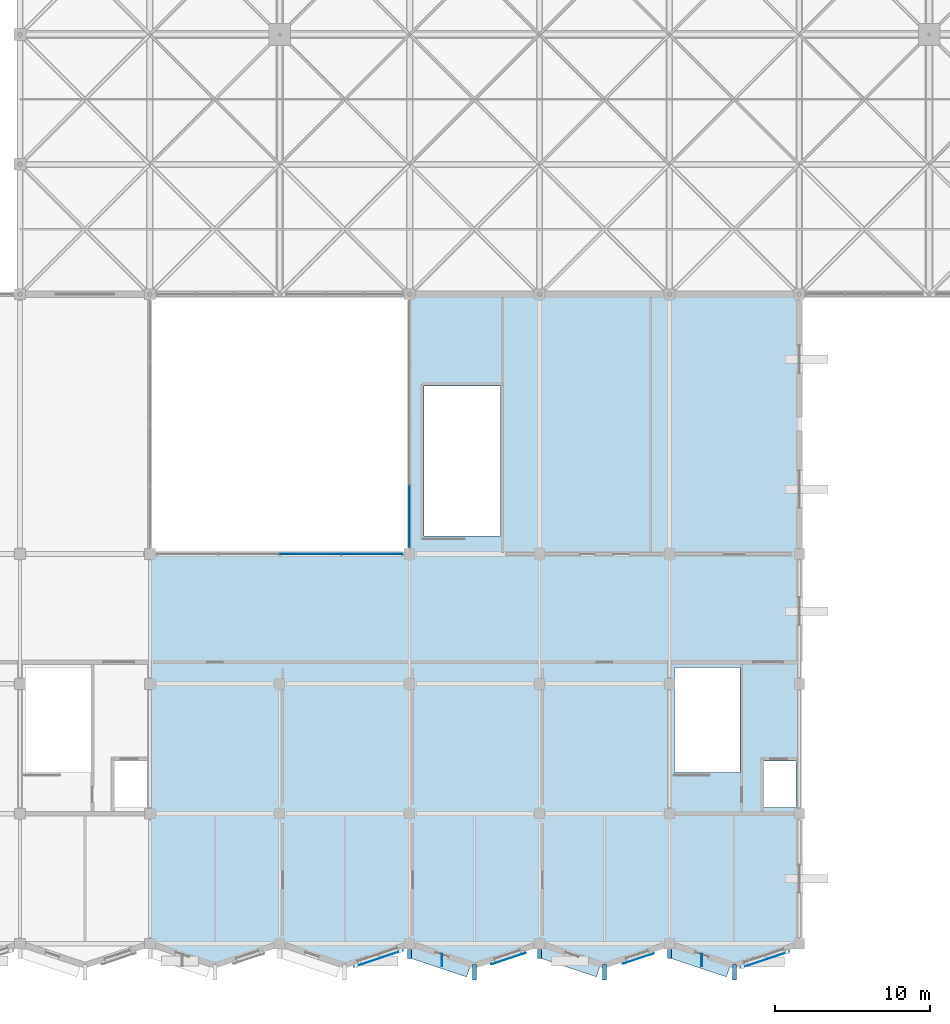
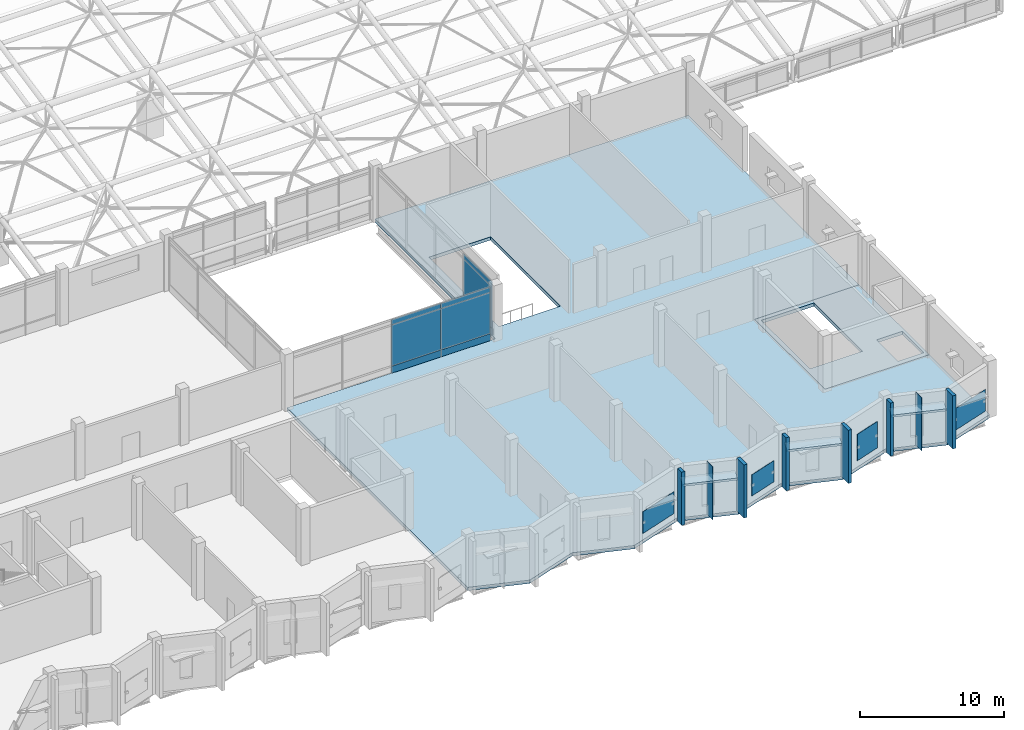
# One storey, part 77 of 110: 24 plates, 2 slabs, 2 elements without a shape of their own.
"""IFC4 building model written with IfcOpenShell, lengths in metres."""

from ifc_helpers import new_model, si_unit, direction, frame, frame_2d, origin, place, context, subcontext, project, spatial, polyline, rectangle, outline, extrude, material, layer, layer_set, type_object, element, aggregate, save


model = new_model("IFC4")

# Units and contexts
model_context = context("Model", 3, precision=1e-05, world=origin(), true_north=direction((0.0, 1.0)))
body_context = subcontext(model_context, "Body", "Model", "MODEL_VIEW")
ifc_project = project(units=[si_unit("LENGTHUNIT", "METRE"), si_unit("AREAUNIT", "SQUARE_METRE"), si_unit("VOLUMEUNIT", "CUBIC_METRE"), si_unit("PLANEANGLEUNIT", "RADIAN"), si_unit("MASSUNIT", "GRAM", prefix="KILO")], contexts=[model_context])

# Site, building, storey
site_placement = place(None, origin())
site = spatial("IfcSite", under=ifc_project, at=site_placement, CompositionType="ELEMENT")
building_placement = place(site_placement, origin())
building = spatial("IfcBuilding", under=site, at=building_placement, Name="Qawsi Khor Wholesale Market", CompositionType="ELEMENT")
storey_placement = place(building_placement, frame((0.0, 0.0, 11.39990234375)))
storey = spatial("IfcBuildingStorey", under=building, at=storey_placement, Name="L02", CompositionType="ELEMENT", Elevation=11.39990234375)

# Curtain wall, plates
ifc_material_1 = material(Name="Aluminium Anodised Bronze", Category="aluminium")
ifc_layer_1 = layer(ifc_material_1, 0.179931640625, Name="Aluminium Anodised Bronze")
ifc_layer_set_1 = layer_set([ifc_layer_1], Name="Aluminium Anodised Bronze")
curtain_wall_type = type_object("IfcCurtainWallType", Name="Atrium Full-Height Curtain Wall CW-02", PredefinedType="NOTDEFINED", material=ifc_layer_set_1)
curtain_wall_1_placement = place(storey_placement, origin())
curtain_wall_1 = element("IfcCurtainWall", 1, at=curtain_wall_1_placement, inside=storey, type_object=curtain_wall_type, Name="Curtain wall CW-CW-02-L02-041", PredefinedType="NOTDEFINED")
ifc_material_2 = material(Name="Anodised Aluminium Spandrel", Category="aluminium")
ifc_layer_2 = layer(ifc_material_2, 0.06494140625, Name="Anodised Aluminium Spandrel")
ifc_layer_set_2 = layer_set([ifc_layer_2], Name="Anodised Aluminium Spandrel")
plate_type_1 = type_object("IfcPlateType", Name="Insulated Spandrel Panel CW-02 65mm", PredefinedType="CURTAIN_PANEL", material=ifc_layer_set_2)
plate_1_placement = place(storey_placement, frame((159.60009765625, 25.199951171875, 0.005126953125), z_axis=(0.0, 0.0, 1.0), x_axis=(1.0, 0.0, 0.0)))
plate_1 = element("IfcPlate", 2, at=plate_1_placement, type_object=plate_type_1, Name="Curtain panel CW-CW-02-L02-041-P0_02", PredefinedType="CURTAIN_PANEL", context=body_context, shape_type="SweptSolid", body=[
    extrude(rectangle(XDim=3.977294921875, YDim=0.06494140625, at=frame_2d((1.98876953125, 0.0))), origin(), (0.0, 0.0, 1.0), 0.590087890625),
])
plate_2_placement = place(storey_placement, frame((163.577392578125, 25.199951171875, 0.005126953125), z_axis=(0.0, 0.0, 1.0), x_axis=(1.0, 0.0, 0.0)))
plate_2 = element("IfcPlate", 3, at=plate_2_placement, type_object=plate_type_1, Name="Curtain panel CW-CW-02-L02-041-P0_03", PredefinedType="CURTAIN_PANEL", context=body_context, shape_type="SweptSolid", body=[
    extrude(rectangle(XDim=3.9775390625, YDim=0.06494140625, at=frame_2d((1.98876953125, 0.0))), origin(), (0.0, 0.0, 1.0), 0.590087890625),
])

# Curtain wall, plate
curtain_wall_2_placement = place(storey_placement, origin())
curtain_wall_2 = element("IfcCurtainWall", 4, at=curtain_wall_2_placement, inside=storey, type_object=curtain_wall_type, Name="Curtain wall CW-CW-02-L02-045", PredefinedType="NOTDEFINED")
plate_3_placement = place(storey_placement, frame((168.0, 25.64501953125, 0.005126953125), z_axis=(0.0, 0.0, 1.0), x_axis=(0.0, 1.0, 0.0)))
plate_3 = element("IfcPlate", 5, at=plate_3_placement, type_object=plate_type_1, Name="Curtain panel CW-CW-02-L02-045-P0_00", PredefinedType="CURTAIN_PANEL", context=body_context, shape_type="SweptSolid", body=[
    extrude(rectangle(XDim=3.9775390625, YDim=0.06494140625, at=frame_2d((1.98876953125, 0.0))), origin(), (0.0, 0.0, 1.0), 0.590087890625),
])

# Plates
ifc_material_3 = material(Name="Perforated Bronze-Anodised Aluminium", Category="aluminium")
ifc_layer_3 = layer(ifc_material_3, 0.02001953125, Name="Perforated Bronze-Anodised Aluminium")
ifc_layer_set_3 = layer_set([ifc_layer_3], Name="Perforated Bronze-Anodised Aluminium")
plate_type_2 = type_object("IfcPlateType", Name="Perforated Bronze Mashrabiya Screen 20mm", PredefinedType="SHEET", material=ifc_layer_set_3)
plate_4_placement = place(storey_placement, frame((167.555908203125, -0.448486328125, 0.85009765625), z_axis=(0.0, 0.0, 1.0), x_axis=(-0.948690696143, -0.316205570874, 0.0)))
element("IfcPlate", 6, at=plate_4_placement, inside=storey, type_object=plate_type_2, Name="Solar mashrabiya screen 037", PredefinedType="SHEET", context=body_context, shape_type="SweptSolid", body=[
    extrude(rectangle(XDim=3.300048828125, YDim=0.02001953125, at=frame_2d((1.64990234375, 0.0))), origin(), (0.0, 0.0, 1.0), 1.85009765625),
])
plate_5_placement = place(storey_placement, frame((175.4912109375, -0.603515625, 0.85009765625), z_axis=(0.0, 0.0, 1.0), x_axis=(-0.948714864533, -0.31613305081, 0.0)))
element("IfcPlate", 7, at=plate_5_placement, inside=storey, type_object=plate_type_2, Name="Solar mashrabiya screen 038", PredefinedType="SHEET", context=body_context, shape_type="SweptSolid", body=[
    extrude(rectangle(XDim=2.31982421875, YDim=0.02001953125, at=frame_2d((1.159912109375, 0.0))), origin(), (0.0, 0.0, 1.0), 1.800048828125),
])
plate_6_placement = place(storey_placement, frame((183.786865234375, -0.63818359375, 0.85009765625), z_axis=(0.0, 0.0, 1.0), x_axis=(-0.948694922148, -0.316192891587, 0.0)))
element("IfcPlate", 8, at=plate_6_placement, inside=storey, type_object=plate_type_2, Name="Solar mashrabiya screen 039", PredefinedType="SHEET", context=body_context, shape_type="SweptSolid", body=[
    extrude(rectangle(XDim=2.10009765625, YDim=0.02001953125, at=frame_2d((1.050048828125, 0.0))), origin(), (0.0, 0.0, 1.0), 2.25),
])
plate_7_placement = place(storey_placement, frame((192.556884765625, -0.526611328125, 0.85009765625), z_axis=(0.0, 0.0, 1.0), x_axis=(-0.949648022086, -0.313318742095, 0.0)))
element("IfcPlate", 9, at=plate_7_placement, inside=storey, type_object=plate_type_2, Name="Solar mashrabiya screen 040", PredefinedType="SHEET", context=body_context, shape_type="SweptSolid", body=[
    extrude(rectangle(XDim=3.300048828125, YDim=0.02001953125, at=frame_2d((1.64990234375, 0.0))), origin(), (0.0, 0.0, 1.0), 1.85009765625),
])
ifc_material_4 = material(Name="Concrete C40/50", Category="concrete")
ifc_layer_4 = layer(ifc_material_4, 0.260009765625, Name="Concrete C40/50")
ifc_layer_set_4 = layer_set([ifc_layer_4], Name="Concrete C40/50")
plate_type_3 = type_object("IfcPlateType", Name="Sculpted Concrete Solar Buttress Fin 260", PredefinedType="SHEET", material=ifc_layer_set_4)
plate_8_placement = place(storey_placement, frame((168.0, -0.949951171875, 0.0), z_axis=(0.0, 0.0, 1.0), x_axis=(0.0, 1.0, 0.0)))
element("IfcPlate", 10, at=plate_8_placement, inside=storey, type_object=plate_type_3, Name="Boulevard concrete solar buttress fin L02-34", PredefinedType="SHEET", context=body_context, shape_type="SweptSolid", body=[
    extrude(rectangle(XDim=0.570068359375, YDim=0.260009765625, at=frame_2d((0.28515625, 0.0))), origin(), (0.0, 0.0, 1.0), 4.52001953125),
])
plate_9_placement = place(storey_placement, frame((172.199951171875, -2.35009765625, 0.0), z_axis=(0.0, 0.0, 1.0), x_axis=(0.0, 1.0, 0.0)))
element("IfcPlate", 11, at=plate_9_placement, inside=storey, type_object=plate_type_3, Name="Boulevard concrete solar buttress fin L02-35", PredefinedType="SHEET", context=body_context, shape_type="SweptSolid", body=[
    extrude(rectangle(XDim=1.0, YDim=0.260009765625, at=frame_2d((0.5, 0.0))), origin(), (0.0, 0.0, 1.0), 4.52001953125),
])
plate_10_placement = place(storey_placement, frame((176.39990234375, -0.949951171875, 0.0), z_axis=(0.0, 0.0, 1.0), x_axis=(0.0, 1.0, 0.0)))
element("IfcPlate", 12, at=plate_10_placement, inside=storey, type_object=plate_type_3, Name="Boulevard concrete solar buttress fin L02-36", PredefinedType="SHEET", context=body_context, shape_type="SweptSolid", body=[
    extrude(rectangle(XDim=0.570068359375, YDim=0.260009765625, at=frame_2d((0.28515625, 0.0))), origin(), (0.0, 0.0, 1.0), 4.52001953125),
])
plate_11_placement = place(storey_placement, frame((180.60009765625, -2.35009765625, 0.0), z_axis=(0.0, 0.0, 1.0), x_axis=(0.0, 1.0, 0.0)))
element("IfcPlate", 13, at=plate_11_placement, inside=storey, type_object=plate_type_3, Name="Boulevard concrete solar buttress fin L02-37", PredefinedType="SHEET", context=body_context, shape_type="SweptSolid", body=[
    extrude(rectangle(XDim=1.0, YDim=0.260009765625, at=frame_2d((0.5, 0.0))), origin(), (0.0, 0.0, 1.0), 4.52001953125),
])
plate_12_placement = place(storey_placement, frame((184.800048828125, -0.949951171875, 0.0), z_axis=(0.0, 0.0, 1.0), x_axis=(0.0, 1.0, 0.0)))
element("IfcPlate", 14, at=plate_12_placement, inside=storey, type_object=plate_type_3, Name="Boulevard concrete solar buttress fin L02-38", PredefinedType="SHEET", context=body_context, shape_type="SweptSolid", body=[
    extrude(rectangle(XDim=0.570068359375, YDim=0.260009765625, at=frame_2d((0.28515625, 0.0))), origin(), (0.0, 0.0, 1.0), 4.52001953125),
])
plate_13_placement = place(storey_placement, frame((189.0, -2.35009765625, 0.0), z_axis=(0.0, 0.0, 1.0), x_axis=(0.0, 1.0, 0.0)))
element("IfcPlate", 15, at=plate_13_placement, inside=storey, type_object=plate_type_3, Name="Boulevard concrete solar buttress fin L02-39", PredefinedType="SHEET", context=body_context, shape_type="SweptSolid", body=[
    extrude(rectangle(XDim=1.0, YDim=0.260009765625, at=frame_2d((0.5, 0.0))), origin(), (0.0, 0.0, 1.0), 4.52001953125),
])
ifc_layer_5 = layer(ifc_material_4, 0.949951171875, Name="Concrete C40/50")
ifc_layer_set_5 = layer_set([ifc_layer_5], Name="Concrete C40/50")
plate_type_4 = type_object("IfcPlateType", Name="Sculpted Concrete Sun-Hood Canopy 950", PredefinedType="SHEET", material=ifc_layer_set_5)
for number, where, z_axis, x_axis, name in (
    (16, (168.110595703125, -0.45849609375, 3.25), (0.0, 0.0, 1.0), (0.94867708111, -0.316246416226, 0.0), "Sculpted concrete sun-hood L02-35"),
    (17, (176.5107421875, -0.45849609375, 3.25), (0.0, 0.0, 1.0), (0.94867708111, -0.316246416226, 0.0), "Sculpted concrete sun-hood L02-37"),
    (18, (184.91064453125, -0.45849609375, 3.25), (0.0, 0.0, 1.0), (0.94867708111, -0.316246416226, 0.0), "Sculpted concrete sun-hood L02-39"),
):
    element("IfcPlate", number, at=place(storey_placement, frame(where, z_axis=z_axis, x_axis=x_axis)), inside=storey, type_object=plate_type_4, Name=name, PredefinedType="SHEET", context=body_context, shape_type="SweptSolid", body=[
        extrude(rectangle(XDim=3.92724609375, YDim=0.949951171875, at=frame_2d((1.963623046875, 0.0))), origin(), (0.0, 0.0, 1.0), 0.190185546875),
    ])

# Plate
ifc_material_5 = material(Name="Tempered Low-E Solar Glass", Category="glass")
ifc_layer_6 = layer(ifc_material_5, 0.031982421875, Name="Tempered Low-E Solar Glass")
ifc_layer_set_6 = layer_set([ifc_layer_6], Name="Tempered Low-E Solar Glass")
plate_type_5 = type_object("IfcPlateType", Name="Solar Double-Glazed Unit CW-02 32mm", PredefinedType="CURTAIN_PANEL", material=ifc_layer_set_6)
plate_14_placement = place(storey_placement, frame((159.60009765625, 25.199951171875, 0.60498046875), z_axis=(0.0, 0.0, 1.0), x_axis=(1.0, 0.0, 0.0)))
plate_14 = element("IfcPlate", 19, at=plate_14_placement, type_object=plate_type_5, Name="Curtain panel CW-CW-02-L02-041-P1_02", PredefinedType="CURTAIN_PANEL", context=body_context, shape_type="SweptSolid", body=[
    extrude(rectangle(XDim=3.977294921875, YDim=0.031982421875, at=frame_2d((1.98876953125, 0.0))), origin(), (0.0, 0.0, 1.0), 3.490234375),
])

plate_15_placement = place(storey_placement, frame((163.577392578125, 25.199951171875, 0.60498046875), z_axis=(0.0, 0.0, 1.0), x_axis=(1.0, 0.0, 0.0)))
plate_15 = element("IfcPlate", 20, at=plate_15_placement, type_object=plate_type_5, Name="Curtain panel CW-CW-02-L02-041-P1_03", PredefinedType="CURTAIN_PANEL", context=body_context, shape_type="SweptSolid", body=[
    extrude(rectangle(XDim=3.9775390625, YDim=0.031982421875, at=frame_2d((1.98876953125, 0.0))), origin(), (0.0, 0.0, 1.0), 3.490234375),
])

plate_16_placement = place(storey_placement, frame((159.60009765625, 25.199951171875, 4.10498046875), z_axis=(0.0, 0.0, 1.0), x_axis=(1.0, 0.0, 0.0)))
plate_16 = element("IfcPlate", 21, at=plate_16_placement, type_object=plate_type_5, Name="Curtain panel CW-CW-02-L02-041-P2_02", PredefinedType="CURTAIN_PANEL", context=body_context, shape_type="SweptSolid", body=[
    extrude(rectangle(XDim=3.977294921875, YDim=0.031982421875, at=frame_2d((1.98876953125, 0.0))), origin(), (0.0, 0.0, 1.0), 0.440185546875),
])

plate_17_placement = place(storey_placement, frame((163.577392578125, 25.199951171875, 4.10498046875), z_axis=(0.0, 0.0, 1.0), x_axis=(1.0, 0.0, 0.0)))
plate_17 = element("IfcPlate", 22, at=plate_17_placement, type_object=plate_type_5, Name="Curtain panel CW-CW-02-L02-041-P2_03", PredefinedType="CURTAIN_PANEL", context=body_context, shape_type="SweptSolid", body=[
    extrude(rectangle(XDim=3.9775390625, YDim=0.031982421875, at=frame_2d((1.98876953125, 0.0))), origin(), (0.0, 0.0, 1.0), 0.440185546875),
])

aggregate(curtain_wall_1, [plate_1, plate_2, plate_14, plate_15, plate_16, plate_17])

plate_18_placement = place(storey_placement, frame((168.0, 25.64501953125, 0.60498046875), z_axis=(0.0, 0.0, 1.0), x_axis=(0.0, 1.0, 0.0)))
plate_18 = element("IfcPlate", 23, at=plate_18_placement, type_object=plate_type_5, Name="Curtain panel CW-CW-02-L02-045-P1_00", PredefinedType="CURTAIN_PANEL", context=body_context, shape_type="SweptSolid", body=[
    extrude(rectangle(XDim=3.9775390625, YDim=0.031982421875, at=frame_2d((1.98876953125, 0.0))), origin(), (0.0, 0.0, 1.0), 3.490234375),
])

plate_19_placement = place(storey_placement, frame((168.0, 25.64501953125, 4.10498046875), z_axis=(0.0, 0.0, 1.0), x_axis=(0.0, 1.0, 0.0)))
plate_19 = element("IfcPlate", 24, at=plate_19_placement, type_object=plate_type_5, Name="Curtain panel CW-CW-02-L02-045-P2_00", PredefinedType="CURTAIN_PANEL", context=body_context, shape_type="SweptSolid", body=[
    extrude(rectangle(XDim=3.9775390625, YDim=0.031982421875, at=frame_2d((1.98876953125, 0.0))), origin(), (0.0, 0.0, 1.0), 0.440185546875),
])

aggregate(curtain_wall_2, [plate_3, plate_18, plate_19])

# Slabs
ifc_layer_7 = layer(ifc_material_4, 0.280029296875, Name="Concrete C40/50")
ifc_layer_set_7 = layer_set([ifc_layer_7], Name="Concrete C40/50")
slab_type = type_object("IfcSlabType", Name="Suspended Floor Slab 280 C40/50", PredefinedType="FLOOR", material=ifc_layer_set_7)
slab_1_placement = place(storey_placement, frame((0.0, 0.0, -0.27978515625)))
element("IfcSlab", 25, at=slab_1_placement, inside=storey, type_object=slab_type, Name="Core floor slab L02 C06", PredefinedType="FLOOR", context=body_context, shape_type="SweptSolid", body=[
    extrude(outline(polyline([(184.800048828125, 18.199951171875), (193.199951171875, 18.199951171875), (193.199951171875, 8.39990234375), (184.800048828125, 8.39990234375), (184.800048828125, 18.199951171875)]), holes=[polyline([(190.919921875, 8.800048828125), (193.0, 8.800048828125), (193.0, 11.800048828125), (190.919921875, 11.800048828125), (190.919921875, 8.800048828125)]), polyline([(185.139892578125, 11.080078125), (189.3798828125, 11.080078125), (189.3798828125, 17.860107421875), (185.139892578125, 17.860107421875), (185.139892578125, 11.080078125)])]), origin(), (0.0, 0.0, 1.0), 0.27978515625),
])
slab_2_placement = place(storey_placement, frame((0.0, 0.0, -0.27978515625)))
element("IfcSlab", 26, at=slab_2_placement, inside=storey, type_object=slab_type, Name="SLB-L02-SWING-4", PredefinedType="FLOOR", context=body_context, shape_type="SweptSolid", body=[
    extrude(outline(polyline([(151.199951171875, 8.39990234375), (151.199951171875, 18.199951171875), (151.199951171875, 25.199951171875), (168.0, 25.199951171875), (168.0, 42.0), (193.199951171875, 42.0), (193.199951171875, 18.199951171875), (184.800048828125, 18.199951171875), (184.800048828125, 8.39990234375), (193.199951171875, 8.39990234375), (193.199951171875, 0.0), (189.0, -1.39990234375), (184.800048828125, 0.0), (180.60009765625, -1.39990234375), (176.39990234375, 0.0), (172.199951171875, -1.39990234375), (168.0, 0.0), (163.800048828125, -1.39990234375), (159.60009765625, 0.0), (155.39990234375, -1.39990234375), (151.199951171875, 0.0), (151.199951171875, 8.39990234375)]), holes=[polyline([(173.8798828125, 26.360107421875), (173.8798828125, 36.080078125), (168.919921875, 36.080078125), (168.919921875, 26.360107421875), (173.8798828125, 26.360107421875)])]), origin(), (0.0, 0.0, 1.0), 0.27978515625),
])

# Plates
ifc_layer_8 = layer(ifc_material_3, 0.044921875, Name="Perforated Bronze-Anodised Aluminium")
ifc_layer_set_8 = layer_set([ifc_layer_8], Name="Perforated Bronze-Anodised Aluminium")
plate_type_6 = type_object("IfcPlateType", Name="Vertical Sculpted Sun-Fin Plate 45mm", PredefinedType="SHEET", material=ifc_layer_set_8)
for number, where, z_axis, x_axis, name in (
    (27, (170.10009765625, -1.449951171875, 0.0), (0.0, 0.0, 1.0), (0.0, 1.0, 0.0), "Sculpted vertical sun-fin L02-34"),
    (28, (186.89990234375, -1.449951171875, 0.0), (0.0, 0.0, 1.0), (0.0, 1.0, 0.0), "Sculpted vertical sun-fin L02-38"),
):
    element("IfcPlate", number, at=place(storey_placement, frame(where, z_axis=z_axis, x_axis=x_axis)), inside=storey, type_object=plate_type_6, Name=name, PredefinedType="SHEET", context=body_context, shape_type="SweptSolid", body=[
        extrude(rectangle(XDim=0.800048828125, YDim=0.044921875, at=frame_2d((0.39990234375, 0.0))), origin(), (0.0, 0.0, 1.0), 4.52001953125),
    ])

save(model, "model.ifc")
